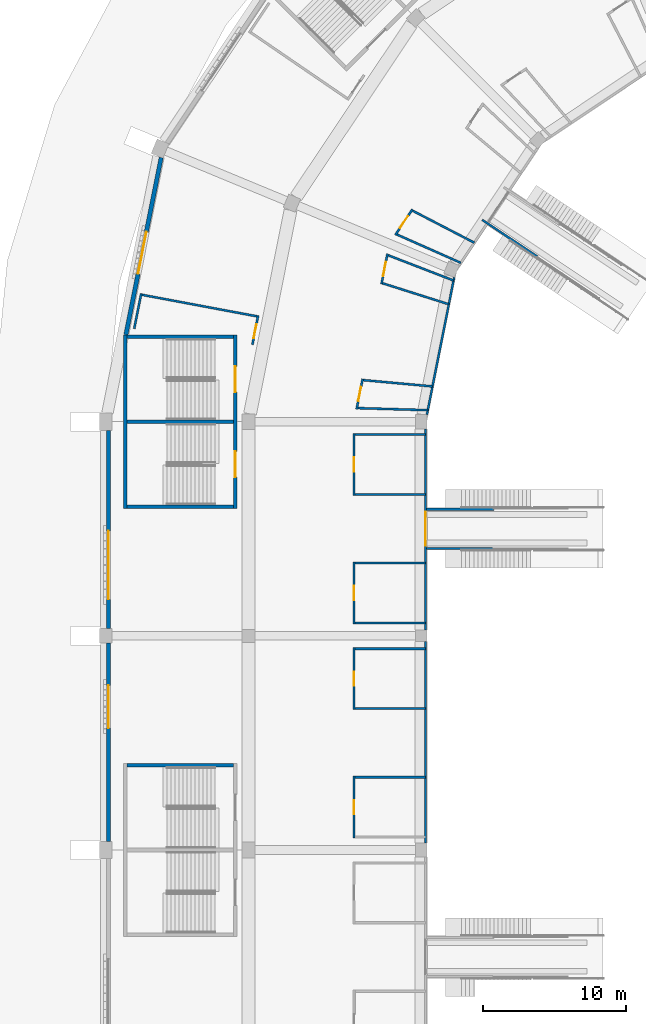
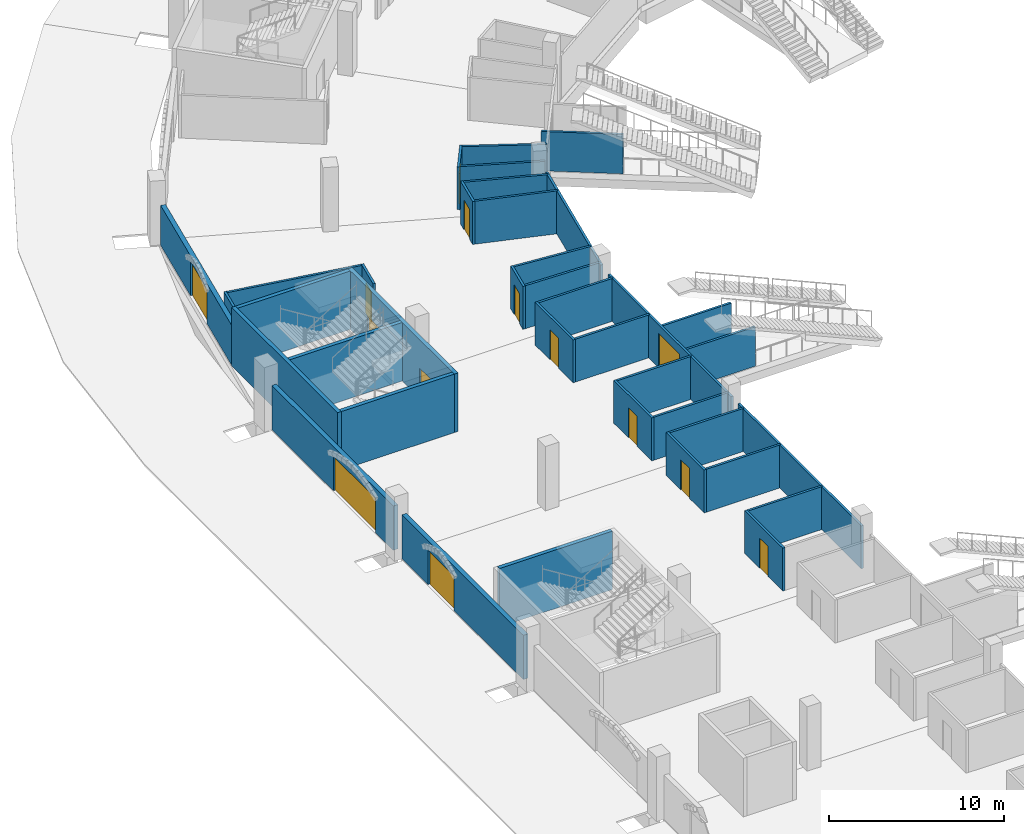
# One storey, part 36 of 175: 38 walls, 14 doors, 14 openings.
"""IFC4 building model written with IfcOpenShell, lengths in metres."""

from ifc_helpers import new_model, si_unit, direction, frame, frame_2d, origin, place, context, subcontext, project, spatial, rectangle, extrude, material, layer, layer_set, type_object, element, fill, save


model = new_model("IFC4")

# Units and contexts
model_context = context("Model", 3, precision=1e-05, world=origin(), true_north=direction((0.0, 1.0)))
body_context = subcontext(model_context, "Body", "Model", "MODEL_VIEW")
ifc_project = project(units=[si_unit("LENGTHUNIT", "METRE"), si_unit("AREAUNIT", "SQUARE_METRE"), si_unit("VOLUMEUNIT", "CUBIC_METRE"), si_unit("PLANEANGLEUNIT", "RADIAN"), si_unit("MASSUNIT", "GRAM", prefix="KILO")], contexts=[model_context])

# Site, building, storey
site_placement = place(None, origin())
site = spatial("IfcSite", under=ifc_project, at=site_placement, CompositionType="ELEMENT")
building_placement = place(site_placement, origin())
building = spatial("IfcBuilding", under=site, at=building_placement, Name="Ogive Plaza Stadium", CompositionType="ELEMENT")
storey_placement = place(building_placement, origin())
storey = spatial("IfcBuildingStorey", under=building, at=storey_placement, Name="L00", CompositionType="ELEMENT", Elevation=0.0)

# Wall, opening, door
ifc_material_1 = material(Name="Masonry blockwork", Category="masonry")
ifc_layer_1 = layer(ifc_material_1, 0.14990234375)
ifc_layer_set_1 = layer_set([ifc_layer_1], Name="Blockwork wall 150")
wall_type_1 = type_object("IfcWallType", Name="Blockwork wall 150", PredefinedType="SOLIDWALL", material=ifc_layer_set_1)
wall_1_placement = place(storey_placement, frame((-66.60009765625, 23.324951171875, 0.0), z_axis=(0.0, 0.0, 1.0), x_axis=(0.0, 1.0, 0.0)))
wall_1 = element("IfcWall", 1, at=wall_1_placement, inside=storey, type_object=wall_type_1, Name="Wall L00 B26", PredefinedType="SOLIDWALL", context=body_context, shape_type="SweptSolid", body=[
    extrude(rectangle(XDim=4.35009765625, YDim=0.14990234375, at=frame_2d((2.175048828125, 0.0))), origin(), (0.0, 0.0, 1.0), 3.0),
])
opening_1_placement = place(wall_1_placement, frame((1.675048828125, 0.0, 0.0)))
opening_1 = element("IfcOpeningElement", 2, at=opening_1_placement, cuts=wall_1, Name="Opening D0432", PredefinedType="OPENING", context=body_context, shape_type="SweptSolid", body=[
    extrude(rectangle(XDim=1.0, YDim=2.10009765625, at=frame_2d((0.5, 1.050048828125))), frame((0.0, 0.074951171875, 0.0), z_axis=(0.0, -1.0, 0.0), x_axis=(1.0, 0.0, 0.0)), (0.0, 0.0, 1.0), 0.14990234375),
])
ifc_material_2 = material(Name="Steel ASTM A572 Grade 50", Category="steel")
door_type_1 = type_object("IfcDoorType", Name="Door 1000 x 2100", OperationType="SINGLE_SWING_LEFT", PredefinedType="DOOR", material=ifc_material_2)
door_1_placement = place(opening_1_placement, origin())
door_1 = element("IfcDoor", 3, at=door_1_placement, inside=storey, type_object=door_type_1, Name="Concession Stand B26 door", OperationType="SINGLE_SWING_LEFT", OverallHeight=2.10009765625, OverallWidth=1.0, PredefinedType="DOOR", context=body_context, shape_type="SweptSolid", body=[
    extrude(rectangle(XDim=1.0, YDim=2.10009765625, at=frame_2d((0.5, 1.050048828125))), frame((0.0, 0.02490234375, 0.0), z_axis=(0.0, -1.0, 0.0), x_axis=(1.0, 0.0, 0.0)), (0.0, 0.0, 1.0), 0.050048828125),
])
fill(opening_1, door_1)

# Wall
wall_2_placement = place(storey_placement, frame((-61.60009765625, 27.60009765625, 0.0), z_axis=(0.0, 0.0, 1.0), x_axis=(-1.0, 0.0, 0.0)))
element("IfcWall", 4, at=wall_2_placement, inside=storey, type_object=wall_type_1, Name="Wall L00 B26", PredefinedType="SOLIDWALL", context=body_context, shape_type="SweptSolid", body=[
    extrude(rectangle(XDim=4.9248046875, YDim=0.14990234375, at=frame_2d((2.46240234375, 0.0))), origin(), (0.0, 0.0, 1.0), 3.0),
])

# Wall, opening, door
wall_3_placement = place(storey_placement, frame((-66.60009765625, 32.324951171875, 0.0), z_axis=(0.0, 0.0, 1.0), x_axis=(0.0, 1.0, 0.0)))
wall_3 = element("IfcWall", 5, at=wall_3_placement, inside=storey, type_object=wall_type_1, Name="Wall L00 B26", PredefinedType="SOLIDWALL", context=body_context, shape_type="SweptSolid", body=[
    extrude(rectangle(XDim=4.35009765625, YDim=0.14990234375, at=frame_2d((2.175048828125, 0.0))), origin(), (0.0, 0.0, 1.0), 3.0),
])
opening_2_placement = place(wall_3_placement, frame((1.675048828125, 0.0, 0.0)))
opening_2 = element("IfcOpeningElement", 6, at=opening_2_placement, cuts=wall_3, Name="Opening D0433", PredefinedType="OPENING", context=body_context, shape_type="SweptSolid", body=[
    extrude(rectangle(XDim=1.0, YDim=2.10009765625, at=frame_2d((0.5, 1.050048828125))), frame((0.0, 0.074951171875, 0.0), z_axis=(0.0, -1.0, 0.0), x_axis=(1.0, 0.0, 0.0)), (0.0, 0.0, 1.0), 0.14990234375),
])
door_2_placement = place(opening_2_placement, origin())
door_2 = element("IfcDoor", 7, at=door_2_placement, inside=storey, type_object=door_type_1, Name="Concession Stand B26 door", OperationType="SINGLE_SWING_RIGHT", OverallHeight=2.10009765625, OverallWidth=1.0, PredefinedType="DOOR", context=body_context, shape_type="SweptSolid", body=[
    extrude(rectangle(XDim=1.0, YDim=2.10009765625, at=frame_2d((0.5, 1.050048828125))), frame((0.0, 0.02490234375, 0.0), z_axis=(0.0, -1.0, 0.0), x_axis=(1.0, 0.0, 0.0)), (0.0, 0.0, 1.0), 0.050048828125),
])
fill(opening_2, door_2)

# Walls
for number, where, z_axis, x_axis, name in (
    (8, (-61.60009765625, 32.39990234375, 0.0), (0.0, 0.0, 1.0), (-1.0, 0.0, 0.0), "Wall L00 B26"),
    (9, (-61.60009765625, 36.60009765625, 0.0), (0.0, 0.0, 1.0), (-1.0, 0.0, 0.0), "Wall L00 B26"),
):
    element("IfcWall", number, at=place(storey_placement, frame(where, z_axis=z_axis, x_axis=x_axis)), inside=storey, type_object=wall_type_1, Name=name, PredefinedType="SOLIDWALL", context=body_context, shape_type="SweptSolid", body=[
        extrude(rectangle(XDim=4.9248046875, YDim=0.14990234375, at=frame_2d((2.46240234375, 0.0))), origin(), (0.0, 0.0, 1.0), 3.0),
    ])

# Wall, opening, door
wall_4_placement = place(storey_placement, frame((-66.60009765625, 51.675048828125, 0.0), z_axis=(0.0, 0.0, 1.0), x_axis=(0.0, -1.0, 0.0)))
wall_4 = element("IfcWall", 10, at=wall_4_placement, inside=storey, type_object=wall_type_1, Name="Wall L00 B27", PredefinedType="SOLIDWALL", context=body_context, shape_type="SweptSolid", body=[
    extrude(rectangle(XDim=4.35009765625, YDim=0.14990234375, at=frame_2d((2.175048828125, 0.0))), origin(), (0.0, 0.0, 1.0), 3.0),
])
opening_3_placement = place(wall_4_placement, frame((1.675048828125, 0.0, 0.0)))
opening_3 = element("IfcOpeningElement", 11, at=opening_3_placement, cuts=wall_4, Name="Opening D0434", PredefinedType="OPENING", context=body_context, shape_type="SweptSolid", body=[
    extrude(rectangle(XDim=1.0, YDim=2.10009765625, at=frame_2d((0.5, 1.050048828125))), frame((0.0, 0.074951171875, 0.0), z_axis=(0.0, -1.0, 0.0), x_axis=(1.0, 0.0, 0.0)), (0.0, 0.0, 1.0), 0.14990234375),
])
door_3_placement = place(opening_3_placement, origin())
door_3 = element("IfcDoor", 12, at=door_3_placement, inside=storey, type_object=door_type_1, Name="Concession Stand B27 door", OperationType="SINGLE_SWING_RIGHT", OverallHeight=2.10009765625, OverallWidth=1.0, PredefinedType="DOOR", context=body_context, shape_type="SweptSolid", body=[
    extrude(rectangle(XDim=1.0, YDim=2.10009765625, at=frame_2d((0.5, 1.050048828125))), frame((0.0, 0.02490234375, 0.0), z_axis=(0.0, -1.0, 0.0), x_axis=(1.0, 0.0, 0.0)), (0.0, 0.0, 1.0), 0.050048828125),
])
fill(opening_3, door_3)

# Walls
for number, where, z_axis, x_axis, name in (
    (13, (-61.60009765625, 51.60009765625, 0.0), (0.0, 0.0, 1.0), (-1.0, 0.0, 0.0), "Wall L00 B27"),
    (14, (-61.60009765625, 47.39990234375, 0.0), (0.0, 0.0, 1.0), (-1.0, 0.0, 0.0), "Wall L00 B27"),
):
    element("IfcWall", number, at=place(storey_placement, frame(where, z_axis=z_axis, x_axis=x_axis)), inside=storey, type_object=wall_type_1, Name=name, PredefinedType="SOLIDWALL", context=body_context, shape_type="SweptSolid", body=[
        extrude(rectangle(XDim=4.9248046875, YDim=0.14990234375, at=frame_2d((2.46240234375, 0.0))), origin(), (0.0, 0.0, 1.0), 3.0),
    ])

# Wall, opening, door
wall_5_placement = place(storey_placement, frame((-66.60009765625, 42.675048828125, 0.0), z_axis=(0.0, 0.0, 1.0), x_axis=(0.0, -1.0, 0.0)))
wall_5 = element("IfcWall", 15, at=wall_5_placement, inside=storey, type_object=wall_type_1, Name="Wall L00 B27", PredefinedType="SOLIDWALL", context=body_context, shape_type="SweptSolid", body=[
    extrude(rectangle(XDim=4.35009765625, YDim=0.14990234375, at=frame_2d((2.175048828125, 0.0))), origin(), (0.0, 0.0, 1.0), 3.0),
])
opening_4_placement = place(wall_5_placement, frame((1.675048828125, 0.0, 0.0)))
opening_4 = element("IfcOpeningElement", 16, at=opening_4_placement, cuts=wall_5, Name="Opening D0435", PredefinedType="OPENING", context=body_context, shape_type="SweptSolid", body=[
    extrude(rectangle(XDim=1.0, YDim=2.10009765625, at=frame_2d((0.5, 1.050048828125))), frame((0.0, 0.074951171875, 0.0), z_axis=(0.0, -1.0, 0.0), x_axis=(1.0, 0.0, 0.0)), (0.0, 0.0, 1.0), 0.14990234375),
])
door_4_placement = place(opening_4_placement, origin())
door_4 = element("IfcDoor", 17, at=door_4_placement, inside=storey, type_object=door_type_1, Name="Concession Stand B27 door", OperationType="SINGLE_SWING_LEFT", OverallHeight=2.10009765625, OverallWidth=1.0, PredefinedType="DOOR", context=body_context, shape_type="SweptSolid", body=[
    extrude(rectangle(XDim=1.0, YDim=2.10009765625, at=frame_2d((0.5, 1.050048828125))), frame((0.0, 0.02490234375, 0.0), z_axis=(0.0, -1.0, 0.0), x_axis=(1.0, 0.0, 0.0)), (0.0, 0.0, 1.0), 0.050048828125),
])
fill(opening_4, door_4)

# Walls
for number, where, z_axis, x_axis, name in (
    (18, (-61.60009765625, 42.60009765625, 0.0), (0.0, 0.0, 1.0), (-1.0, 0.0, 0.0), "Wall L00 B27"),
    (19, (-61.60009765625, 38.39990234375, 0.0), (0.0, 0.0, 1.0), (-1.0, 0.0, 0.0), "Wall L00 B27"),
):
    element("IfcWall", number, at=place(storey_placement, frame(where, z_axis=z_axis, x_axis=x_axis)), inside=storey, type_object=wall_type_1, Name=name, PredefinedType="SOLIDWALL", context=body_context, shape_type="SweptSolid", body=[
        extrude(rectangle(XDim=4.9248046875, YDim=0.14990234375, at=frame_2d((2.46240234375, 0.0))), origin(), (0.0, 0.0, 1.0), 3.0),
    ])

# Wall, opening, door
wall_6_placement = place(storey_placement, frame((-66.42578125, 53.37646484375, 0.0), z_axis=(0.0, 0.0, 1.0), x_axis=(0.195184162696, 0.980766609665, 0.0)))
wall_6 = element("IfcWall", 20, at=wall_6_placement, inside=storey, type_object=wall_type_1, Name="Wall L00 B28", PredefinedType="SOLIDWALL", context=body_context, shape_type="SweptSolid", body=[
    extrude(rectangle(XDim=2.16650390625, YDim=0.14990234375, at=frame_2d((1.083251953125, 0.0))), origin(), (0.0, 0.0, 1.0), 3.0),
])
opening_5_placement = place(wall_6_placement, frame((0.583251953125, 0.0, 0.0)))
opening_5 = element("IfcOpeningElement", 21, at=opening_5_placement, cuts=wall_6, Name="Opening D0436", PredefinedType="OPENING", context=body_context, shape_type="SweptSolid", body=[
    extrude(rectangle(XDim=1.0, YDim=2.10009765625, at=frame_2d((0.5, 1.050048828125))), frame((0.0, 0.074951171875, 0.0), z_axis=(0.0, -1.0, 0.0), x_axis=(1.0, 0.0, 0.0)), (0.0, 0.0, 1.0), 0.14990234375),
])
door_5_placement = place(opening_5_placement, origin())
door_5 = element("IfcDoor", 22, at=door_5_placement, inside=storey, type_object=door_type_1, Name="Concession Stand B28 door", OperationType="SINGLE_SWING_LEFT", OverallHeight=2.10009765625, OverallWidth=1.0, PredefinedType="DOOR", context=body_context, shape_type="SweptSolid", body=[
    extrude(rectangle(XDim=1.0, YDim=2.10009765625, at=frame_2d((0.5, 1.050048828125))), frame((0.0, 0.02490234375, 0.0), z_axis=(0.0, -1.0, 0.0), x_axis=(1.0, 0.0, 0.0)), (0.0, 0.0, 1.0), 0.050048828125),
])
fill(opening_5, door_5)

# Walls
wall_7_placement = place(storey_placement, frame((-61.43896484375, 53.309326171875, 0.0), z_axis=(0.0, 0.0, 1.0), x_axis=(-0.999564604057, 0.02950597086, 0.0)))
element("IfcWall", 23, at=wall_7_placement, inside=storey, type_object=wall_type_1, Name="Wall L00 B28", PredefinedType="SOLIDWALL", context=body_context, shape_type="SweptSolid", body=[
    extrude(rectangle(XDim=4.8984375, YDim=0.14990234375, at=frame_2d((2.44921875, 0.0))), origin(), (0.0, 0.0, 1.0), 3.0),
])
wall_8_placement = place(storey_placement, frame((-61.10791015625, 54.973388671875, 0.0), z_axis=(0.0, 0.0, 1.0), x_axis=(-0.995862664096, 0.090871085934, 0.0)))
element("IfcWall", 24, at=wall_8_placement, inside=storey, type_object=wall_type_1, Name="Wall L00 B28", PredefinedType="SOLIDWALL", context=body_context, shape_type="SweptSolid", body=[
    extrude(rectangle(XDim=4.857421875, YDim=0.14990234375, at=frame_2d((2.4287109375, 0.0))), origin(), (0.0, 0.0, 1.0), 3.0),
])

# Wall, opening, door
wall_9_placement = place(storey_placement, frame((-64.682373046875, 62.14013671875, 0.0), z_axis=(0.0, 0.0, 1.0), x_axis=(0.195075759432, 0.980788176969, 0.0)))
wall_9 = element("IfcWall", 25, at=wall_9_placement, inside=storey, type_object=wall_type_1, Name="Wall L00 B28", PredefinedType="SOLIDWALL", context=body_context, shape_type="SweptSolid", body=[
    extrude(rectangle(XDim=2.166259765625, YDim=0.14990234375, at=frame_2d((1.0830078125, 0.0))), origin(), (0.0, 0.0, 1.0), 3.0),
])
opening_6_placement = place(wall_9_placement, frame((0.583251953125, 0.0, 0.0)))
opening_6 = element("IfcOpeningElement", 26, at=opening_6_placement, cuts=wall_9, Name="Opening D0437", PredefinedType="OPENING", context=body_context, shape_type="SweptSolid", body=[
    extrude(rectangle(XDim=1.0, YDim=2.10009765625, at=frame_2d((0.5, 1.050048828125))), frame((0.0, 0.074951171875, 0.0), z_axis=(0.0, -1.0, 0.0), x_axis=(1.0, 0.0, 0.0)), (0.0, 0.0, 1.0), 0.14990234375),
])
door_6_placement = place(opening_6_placement, origin())
door_6 = element("IfcDoor", 27, at=door_6_placement, inside=storey, type_object=door_type_1, Name="Concession Stand B28 door", OperationType="SINGLE_SWING_RIGHT", OverallHeight=2.10009765625, OverallWidth=1.0, PredefinedType="DOOR", context=body_context, shape_type="SweptSolid", body=[
    extrude(rectangle(XDim=1.0, YDim=2.10009765625, at=frame_2d((0.5, 1.050048828125))), frame((0.0, 0.02490234375, 0.0), z_axis=(0.0, -1.0, 0.0), x_axis=(1.0, 0.0, 0.0)), (0.0, 0.0, 1.0), 0.050048828125),
])
fill(opening_6, door_6)

# Walls
wall_10_placement = place(storey_placement, frame((-59.963134765625, 60.72900390625, 0.0), z_axis=(0.0, 0.0, 1.0), x_axis=(-0.953256403352, 0.302162587804, 0.0)))
element("IfcWall", 28, at=wall_10_placement, inside=storey, type_object=wall_type_1, Name="Wall L00 B28", PredefinedType="SOLIDWALL", context=body_context, shape_type="SweptSolid", body=[
    extrude(rectangle(XDim=4.860107421875, YDim=0.14990234375, at=frame_2d((2.43017578125, 0.0))), origin(), (0.0, 0.0, 1.0), 3.0),
])
wall_11_placement = place(storey_placement, frame((-59.632080078125, 62.39306640625, 0.0), z_axis=(0.0, 0.0, 1.0), x_axis=(-0.932924010437, 0.360073313022, 0.0)))
element("IfcWall", 29, at=wall_11_placement, inside=storey, type_object=wall_type_1, Name="Wall L00 B28", PredefinedType="SOLIDWALL", context=body_context, shape_type="SweptSolid", body=[
    extrude(rectangle(XDim=4.90283203125, YDim=0.14990234375, at=frame_2d((2.451416015625, 0.0))), origin(), (0.0, 0.0, 1.0), 3.0),
])

# Wall, opening, door
wall_12_placement = place(storey_placement, frame((-62.512451171875, 67.379150390625, 0.0), z_axis=(0.0, 0.0, 1.0), x_axis=(-0.555584101735, -0.831460345356, 0.0)))
wall_12 = element("IfcWall", 30, at=wall_12_placement, inside=storey, type_object=wall_type_1, Name="Wall L00 B29", PredefinedType="SOLIDWALL", context=body_context, shape_type="SweptSolid", body=[
    extrude(rectangle(XDim=2.16650390625, YDim=0.14990234375, at=frame_2d((1.083251953125, 0.0))), origin(), (0.0, 0.0, 1.0), 3.0),
])
opening_7_placement = place(wall_12_placement, frame((0.583251953125, 0.0, 0.0)))
opening_7 = element("IfcOpeningElement", 31, at=opening_7_placement, cuts=wall_12, Name="Opening D0440", PredefinedType="OPENING", context=body_context, shape_type="SweptSolid", body=[
    extrude(rectangle(XDim=1.0, YDim=2.10009765625, at=frame_2d((0.5, 1.050048828125))), frame((0.0, 0.074951171875, 0.0), z_axis=(0.0, -1.0, 0.0), x_axis=(1.0, 0.0, 0.0)), (0.0, 0.0, 1.0), 0.14990234375),
])
door_7_placement = place(opening_7_placement, origin())
door_7 = element("IfcDoor", 32, at=door_7_placement, inside=storey, type_object=door_type_1, Name="Concession Stand B29 door", OperationType="SINGLE_SWING_LEFT", OverallHeight=2.10009765625, OverallWidth=1.0, PredefinedType="DOOR", context=body_context, shape_type="SweptSolid", body=[
    extrude(rectangle(XDim=1.0, YDim=2.10009765625, at=frame_2d((0.5, 1.050048828125))), frame((0.0, 0.02490234375, 0.0), z_axis=(0.0, -1.0, 0.0), x_axis=(1.0, 0.0, 0.0)), (0.0, 0.0, 1.0), 0.050048828125),
])
fill(opening_7, door_7)

# Walls
wall_13_placement = place(storey_placement, frame((-58.177490234375, 65.039794921875, 0.0), z_axis=(0.0, 0.0, 1.0), x_axis=(-0.887687615618, 0.460446193467, 0.0)))
element("IfcWall", 33, at=wall_13_placement, inside=storey, type_object=wall_type_1, Name="Wall L00 B29", PredefinedType="SOLIDWALL", context=body_context, shape_type="SweptSolid", body=[
    extrude(rectangle(XDim=4.860107421875, YDim=0.14990234375, at=frame_2d((2.43017578125, 0.0))), origin(), (0.0, 0.0, 1.0), 3.0),
])
wall_14_placement = place(storey_placement, frame((-59.1201171875, 63.629150390625, 0.0), z_axis=(0.0, 0.0, 1.0), x_axis=(-0.914272991352, 0.405098626615, 0.0)))
element("IfcWall", 34, at=wall_14_placement, inside=storey, type_object=wall_type_1, Name="Wall L00 B29", PredefinedType="SOLIDWALL", context=body_context, shape_type="SweptSolid", body=[
    extrude(rectangle(XDim=4.90283203125, YDim=0.14990234375, at=frame_2d((2.451416015625, 0.0))), origin(), (0.0, 0.0, 1.0), 3.0),
])
wall_15_placement = place(storey_placement, frame((-61.60009765625, 23.0, 0.0), z_axis=(0.0, 0.0, 1.0), x_axis=(0.0, 1.0, 0.0)))
element("IfcWall", 35, at=wall_15_placement, inside=storey, type_object=wall_type_1, Name="Stand rear wall B26", PredefinedType="SOLIDWALL", context=body_context, shape_type="SweptSolid", body=[
    extrude(rectangle(XDim=14.10009765625, YDim=0.14990234375, at=frame_2d((7.050048828125, 0.0))), origin(), (0.0, 0.0, 1.0), 3.0),
])

# Wall, opening, door
wall_16_placement = place(storey_placement, frame((-61.60009765625, 37.89990234375, 0.0), z_axis=(0.0, 0.0, 1.0), x_axis=(0.0, 1.0, 0.0)))
wall_16 = element("IfcWall", 36, at=wall_16_placement, inside=storey, type_object=wall_type_1, Name="Stand rear wall B27", PredefinedType="SOLIDWALL", context=body_context, shape_type="SweptSolid", body=[
    extrude(rectangle(XDim=14.10009765625, YDim=0.14990234375, at=frame_2d((7.050048828125, 0.0))), origin(), (0.0, 0.0, 1.0), 3.0),
])
opening_8_placement = place(wall_16_placement, frame((5.89990234375, 0.0, 0.0)))
opening_8 = element("IfcOpeningElement", 37, at=opening_8_placement, cuts=wall_16, Name="Opening D1050", PredefinedType="OPENING", context=body_context, shape_type="SweptSolid", body=[
    extrude(rectangle(XDim=2.39990234375, YDim=2.39990234375, at=frame_2d((1.199951171875, 1.199951171875))), frame((0.0, 0.074951171875, 0.0), z_axis=(0.0, -1.0, 0.0), x_axis=(1.0, 0.0, 0.0)), (0.0, 0.0, 1.0), 0.14990234375),
])
ifc_material_3 = material(Name="Steel ASTM A572 Grade 50", Category="steel")
door_type_2 = type_object("IfcDoorType", Name="Service door pair 2400 x 2400", OperationType="DOUBLE_DOOR_SINGLE_SWING", PredefinedType="DOOR", material=ifc_material_3)
door_8_placement = place(opening_8_placement, origin())
door_8 = element("IfcDoor", 38, at=door_8_placement, inside=storey, type_object=door_type_2, Name="Vomitory portal door B27", OperationType="DOUBLE_DOOR_SINGLE_SWING", OverallHeight=2.39990234375, OverallWidth=2.39990234375, PredefinedType="DOOR", context=body_context, shape_type="SweptSolid", body=[
    extrude(rectangle(XDim=2.39990234375, YDim=2.39990234375, at=frame_2d((1.199951171875, 1.199951171875))), frame((0.0, 0.02490234375, 0.0), z_axis=(0.0, -1.0, 0.0), x_axis=(1.0, 0.0, 0.0)), (0.0, 0.0, 1.0), 0.050048828125),
])
fill(opening_8, door_8)

# Walls
wall_17_placement = place(storey_placement, frame((-61.50048828125, 53.0, 0.0), z_axis=(0.0, 0.0, 1.0), x_axis=(0.195081244333, 0.980787086023, 0.0)))
element("IfcWall", 39, at=wall_17_placement, inside=storey, type_object=wall_type_1, Name="Stand rear wall B28", PredefinedType="SOLIDWALL", context=body_context, shape_type="SweptSolid", body=[
    extrude(rectangle(XDim=9.80029296875, YDim=0.14990234375, at=frame_2d((4.900146484375, 0.0))), origin(), (0.0, 0.0, 1.0), 3.0),
])
ifc_material_4 = material(Name="Concrete C40/50", Category="concrete")
ifc_layer_2 = layer(ifc_material_4, 0.25)
ifc_layer_set_2 = layer_set([ifc_layer_2], Name="Concrete C40/50")
wall_type_2 = type_object("IfcWallType", Name="Core wall 250", PredefinedType="SHEAR", material=ifc_layer_set_2)
wall_18_placement = place(storey_placement, frame((-75.050048828125, 28.449951171875, 0.0), z_axis=(0.0, 0.0, 1.0), x_axis=(-1.0, 0.0, 0.0)))
element("IfcWall", 40, at=wall_18_placement, inside=storey, type_object=wall_type_2, Name="Stair core R26 side wall", PredefinedType="SHEAR", context=body_context, shape_type="SweptSolid", body=[
    extrude(rectangle(XDim=7.4599609375, YDim=0.25, at=frame_2d((3.72998046875, 0.0))), origin(), (0.0, 0.0, 1.0), 4.090087890625),
])

# Wall, openings, doors
wall_19_placement = place(storey_placement, frame((-74.925048828125, 58.574951171875, 0.0), z_axis=(0.0, 0.0, 1.0), x_axis=(0.0, -1.0, 0.0)))
wall_19 = element("IfcWall", 41, at=wall_19_placement, inside=storey, type_object=wall_type_2, Name="Stair core R28 inner wall", PredefinedType="SHEAR", context=body_context, shape_type="SweptSolid", body=[
    extrude(rectangle(XDim=12.14990234375, YDim=0.25, at=frame_2d((6.074951171875, 0.0))), origin(), (0.0, 0.0, 1.0), 4.090087890625),
])
opening_9_placement = place(wall_19_placement, frame((2.199951171875, 0.0, 0.0)))
opening_9 = element("IfcOpeningElement", 42, at=opening_9_placement, cuts=wall_19, Name="Opening D0209", PredefinedType="OPENING", context=body_context, shape_type="SweptSolid", body=[
    extrude(rectangle(XDim=1.800048828125, YDim=2.10009765625, at=frame_2d((0.89990234375, 1.050048828125))), frame((0.0, 0.125, 0.0), z_axis=(0.0, -1.0, 0.0), x_axis=(1.0, 0.0, 0.0)), (0.0, 0.0, 1.0), 0.25),
])
opening_10_placement = place(wall_19_placement, frame((8.14990234375, 0.0, 0.0)))
opening_10 = element("IfcOpeningElement", 43, at=opening_10_placement, cuts=wall_19, Name="Opening D0210", PredefinedType="OPENING", context=body_context, shape_type="SweptSolid", body=[
    extrude(rectangle(XDim=1.800048828125, YDim=2.10009765625, at=frame_2d((0.89990234375, 1.050048828125))), frame((0.0, 0.125, 0.0), z_axis=(0.0, -1.0, 0.0), x_axis=(1.0, 0.0, 0.0)), (0.0, 0.0, 1.0), 0.25),
])
ifc_material_5 = material(Name="Steel ASTM A572 Grade 50", Category="steel")
door_type_3 = type_object("IfcDoorType", Name="Fire door FD90 pair 1800 x 2100", OperationType="DOUBLE_DOOR_SINGLE_SWING", PredefinedType="DOOR", material=ifc_material_5)
door_9_placement = place(opening_9_placement, origin())
door_9 = element("IfcDoor", 44, at=door_9_placement, inside=storey, type_object=door_type_3, Name="Exit stair R28A door L00", OperationType="DOUBLE_DOOR_SINGLE_SWING", OverallHeight=2.10009765625, OverallWidth=1.800048828125, PredefinedType="DOOR", context=body_context, shape_type="SweptSolid", body=[
    extrude(rectangle(XDim=1.800048828125, YDim=2.10009765625, at=frame_2d((0.89990234375, 1.050048828125))), frame((0.0, 0.02490234375, 0.0), z_axis=(0.0, -1.0, 0.0), x_axis=(1.0, 0.0, 0.0)), (0.0, 0.0, 1.0), 0.050048828125),
])
fill(opening_9, door_9)
door_10_placement = place(opening_10_placement, origin())
door_10 = element("IfcDoor", 45, at=door_10_placement, inside=storey, type_object=door_type_3, Name="Exit stair R28B door L00", OperationType="DOUBLE_DOOR_SINGLE_SWING", OverallHeight=2.10009765625, OverallWidth=1.800048828125, PredefinedType="DOOR", context=body_context, shape_type="SweptSolid", body=[
    extrude(rectangle(XDim=1.800048828125, YDim=2.10009765625, at=frame_2d((0.89990234375, 1.050048828125))), frame((0.0, 0.02490234375, 0.0), z_axis=(0.0, -1.0, 0.0), x_axis=(1.0, 0.0, 0.0)), (0.0, 0.0, 1.0), 0.050048828125),
])
fill(opening_10, door_10)

# Walls
wall_20_placement = place(storey_placement, frame((-82.635009765625, 58.574951171875, 0.0), z_axis=(0.0, 0.0, 1.0), x_axis=(0.0, -1.0, 0.0)))
element("IfcWall", 46, at=wall_20_placement, inside=storey, type_object=wall_type_2, Name="Stair core R28 outer wall", PredefinedType="SHEAR", context=body_context, shape_type="SweptSolid", body=[
    extrude(rectangle(XDim=12.14990234375, YDim=0.25, at=frame_2d((6.074951171875, 0.0))), origin(), (0.0, 0.0, 1.0), 4.090087890625),
])
for number, where, z_axis, x_axis, name in (
    (47, (-75.050048828125, 58.449951171875, 0.0), (0.0, 0.0, 1.0), (-1.0, 0.0, 0.0), "Stair core R28 side wall"),
    (48, (-75.050048828125, 46.550048828125, 0.0), (0.0, 0.0, 1.0), (-1.0, 0.0, 0.0), "Stair core R28 side wall"),
    (49, (-75.050048828125, 52.5, 0.0), (0.0, 0.0, 1.0), (-1.0, 0.0, 0.0), "Stair core R28 centre wall"),
):
    element("IfcWall", number, at=place(storey_placement, frame(where, z_axis=z_axis, x_axis=x_axis)), inside=storey, type_object=wall_type_2, Name=name, PredefinedType="SHEAR", context=body_context, shape_type="SweptSolid", body=[
        extrude(rectangle(XDim=7.4599609375, YDim=0.25, at=frame_2d((3.72998046875, 0.0))), origin(), (0.0, 0.0, 1.0), 4.090087890625),
    ])

# Wall, opening, door
ifc_material_6 = material(Name="Gypsum board partition", Category="gypsum")
ifc_layer_3 = layer(ifc_material_6, 0.14990234375)
ifc_layer_set_3 = layer_set([ifc_layer_3], Name="Partition 150")
wall_type_3 = type_object("IfcWallType", Name="Partition 150", PredefinedType="PARTITIONING", material=ifc_layer_set_3)
wall_21_placement = place(storey_placement, frame((-73.7265625, 57.896240234375, 0.0), z_axis=(0.0, 0.0, 1.0), x_axis=(0.195055250603, 0.980792255889, 0.0)))
wall_21 = element("IfcWall", 50, at=wall_21_placement, inside=storey, type_object=wall_type_3, Name="Wall L00 B28", PredefinedType="PARTITIONING", context=body_context, shape_type="SweptSolid", body=[
    extrude(rectangle(XDim=2.080322265625, YDim=0.14990234375, at=frame_2d((1.0400390625, 0.0))), origin(), (0.0, 0.0, 1.0), 3.0),
])
opening_11_placement = place(wall_21_placement, frame((0.47216796875, 0.0, 0.0)))
opening_11 = element("IfcOpeningElement", 51, at=opening_11_placement, cuts=wall_21, Name="Opening D0438", PredefinedType="OPENING", context=body_context, shape_type="SweptSolid", body=[
    extrude(rectangle(XDim=1.0, YDim=2.10009765625, at=frame_2d((0.5, 1.050048828125))), frame((0.0, 0.074951171875, 0.0), z_axis=(0.0, -1.0, 0.0), x_axis=(1.0, 0.0, 0.0)), (0.0, 0.0, 1.0), 0.14990234375),
])
door_11_placement = place(opening_11_placement, origin())
door_11 = element("IfcDoor", 52, at=door_11_placement, inside=storey, type_object=door_type_1, Name="Ticket Office B28 door", OperationType="SINGLE_SWING_RIGHT", OverallHeight=2.10009765625, OverallWidth=1.0, PredefinedType="DOOR", context=body_context, shape_type="SweptSolid", body=[
    extrude(rectangle(XDim=1.0, YDim=2.10009765625, at=frame_2d((0.5, 1.050048828125))), frame((0.0, 0.02490234375, 0.0), z_axis=(0.0, -1.0, 0.0), x_axis=(1.0, 0.0, 0.0)), (0.0, 0.0, 1.0), 0.050048828125),
])
fill(opening_11, door_11)

# Walls
wall_22_placement = place(storey_placement, frame((-82.0029296875, 59.020263671875, 0.0), z_axis=(0.0, 0.0, 1.0), x_axis=(0.195032666665, 0.980796747004, 0.0)))
element("IfcWall", 53, at=wall_22_placement, inside=storey, type_object=wall_type_3, Name="Wall L00 B28", PredefinedType="PARTITIONING", context=body_context, shape_type="SweptSolid", body=[
    extrude(rectangle(XDim=2.513671875, YDim=0.14990234375, at=frame_2d((1.2568359375, 0.0))), origin(), (0.0, 0.0, 1.0), 3.0),
])
wall_23_placement = place(storey_placement, frame((-73.40625, 59.88330078125, 0.0), z_axis=(0.0, 0.0, 1.0), x_axis=(-0.982896138411, 0.184160747979, 0.0)))
element("IfcWall", 54, at=wall_23_placement, inside=storey, type_object=wall_type_3, Name="Wall L00 B28", PredefinedType="PARTITIONING", context=body_context, shape_type="SweptSolid", body=[
    extrude(rectangle(XDim=8.190185546875, YDim=0.14990234375, at=frame_2d((4.09521484375, 0.0))), origin(), (0.0, 0.0, 1.0), 3.0),
])

# Wall, opening, door
ifc_material_7 = material(Name="Concrete C45/55 precast", Category="concrete")
ifc_layer_4 = layer(ifc_material_7, 0.25)
ifc_material_8 = material(Name="Cast stone (reconstituted limestone)", Category="masonry")
ifc_layer_5 = layer(ifc_material_8, 0.050048828125)
ifc_layer_set_4 = layer_set([ifc_layer_4, ifc_layer_5], Name="Concrete C45/55 precast, cast stone facing")
wall_type_4 = type_object("IfcWallType", Name="Portal infill wall 300", PredefinedType="SOLIDWALL", material=ifc_layer_set_4)
wall_24_placement = place(storey_placement, frame((-83.800048828125, 23.10009765625, 0.0), z_axis=(0.0, 0.0, 1.0), x_axis=(0.0, 1.0, 0.0)))
wall_24 = element("IfcWall", 55, at=wall_24_placement, inside=storey, type_object=wall_type_4, Name="PORTAL WALL B26", PredefinedType="SOLIDWALL", context=body_context, shape_type="SweptSolid", body=[
    extrude(rectangle(XDim=13.89990234375, YDim=0.300048828125, at=frame_2d((6.949951171875, 0.0))), origin(), (0.0, 0.0, 1.0), 3.090087890625),
])
opening_12_placement = place(wall_24_placement, frame((7.9375, 0.0, 0.0)))
opening_12 = element("IfcOpeningElement", 56, at=opening_12_placement, cuts=wall_24, Name="Opening D0026", PredefinedType="OPENING", context=body_context, shape_type="SweptSolid", body=[
    extrude(rectangle(XDim=3.0, YDim=2.39990234375, at=frame_2d((1.5, 1.199951171875))), frame((0.0, 0.16015625, 0.0), z_axis=(0.0, -1.0, 0.0), x_axis=(1.0, 0.0, 0.0)), (0.0, 0.0, 1.0), 0.320068359375),
])
ifc_material_9 = material(Name="Bronze-anodised aluminium and laminated glass", Category="aluminium")
door_type_4 = type_object("IfcDoorType", Name="Exit gate door pair 3000 x 2400", OperationType="DOUBLE_DOOR_SINGLE_SWING", PredefinedType="DOOR", material=ifc_material_9)
door_12_placement = place(opening_12_placement, origin())
door_12 = element("IfcDoor", 57, at=door_12_placement, inside=storey, type_object=door_type_4, Name="Pedestrian exit gate G13", OperationType="DOUBLE_DOOR_SINGLE_SWING", OverallHeight=2.39990234375, OverallWidth=3.0, PredefinedType="DOOR", context=body_context, shape_type="SweptSolid", body=[
    extrude(rectangle(XDim=3.0, YDim=2.39990234375, at=frame_2d((1.5, 1.199951171875))), frame((0.0, 0.02490234375, 0.0), z_axis=(0.0, -1.0, 0.0), x_axis=(1.0, 0.0, 0.0)), (0.0, 0.0, 1.0), 0.050048828125),
])
fill(opening_12, door_12)

wall_25_placement = place(storey_placement, frame((-83.800048828125, 38.0, 0.0), z_axis=(0.0, 0.0, 1.0), x_axis=(0.0, 1.0, 0.0)))
wall_25 = element("IfcWall", 58, at=wall_25_placement, inside=storey, type_object=wall_type_4, Name="PORTAL WALL B27", PredefinedType="SOLIDWALL", context=body_context, shape_type="SweptSolid", body=[
    extrude(rectangle(XDim=13.89990234375, YDim=0.300048828125, at=frame_2d((6.949951171875, 0.0))), origin(), (0.0, 0.0, 1.0), 3.090087890625),
])
opening_13_placement = place(wall_25_placement, frame((2.0625, 0.0, 0.0)))
opening_13 = element("IfcOpeningElement", 59, at=opening_13_placement, cuts=wall_25, Name="Opening D0027", PredefinedType="OPENING", context=body_context, shape_type="SweptSolid", body=[
    extrude(rectangle(XDim=4.800048828125, YDim=2.39990234375, at=frame_2d((2.39990234375, 1.199951171875))), frame((0.0, 0.16015625, 0.0), z_axis=(0.0, -1.0, 0.0), x_axis=(1.0, 0.0, 0.0)), (0.0, 0.0, 1.0), 0.320068359375),
])
ifc_material_10 = material(Name="Bronze-anodised aluminium and laminated glass", Category="aluminium")
door_type_5 = type_object("IfcDoorType", Name="Entrance door pair 4800 x 2400", OperationType="DOUBLE_DOOR_SINGLE_SWING", PredefinedType="DOOR", material=ifc_material_10)
door_13_placement = place(opening_13_placement, origin())
door_13 = element("IfcDoor", 60, at=door_13_placement, inside=storey, type_object=door_type_5, Name="Main entrance E14", OperationType="DOUBLE_DOOR_SINGLE_SWING", OverallHeight=2.39990234375, OverallWidth=4.800048828125, PredefinedType="DOOR", context=body_context, shape_type="SweptSolid", body=[
    extrude(rectangle(XDim=4.800048828125, YDim=2.39990234375, at=frame_2d((2.39990234375, 1.199951171875))), frame((0.0, 0.02490234375, 0.0), z_axis=(0.0, -1.0, 0.0), x_axis=(1.0, 0.0, 0.0)), (0.0, 0.0, 1.0), 0.050048828125),
])
fill(opening_13, door_13)

ifc_material_11 = material(Name="Concrete C45/55 precast", Category="concrete")
ifc_layer_6 = layer(ifc_material_11, 0.25)
ifc_material_12 = material(Name="Cast stone (reconstituted limestone)", Category="masonry")
ifc_layer_7 = layer(ifc_material_12, 0.050048828125)
ifc_layer_set_5 = layer_set([ifc_layer_6, ifc_layer_7], Name="Concrete C45/55 precast, cast stone facing")
wall_type_5 = type_object("IfcWallType", Name="Portal infill wall 300 A", PredefinedType="SOLIDWALL", material=ifc_layer_set_5)
wall_26_placement = place(storey_placement, frame((-82.5849609375, 58.58935546875, 0.0), z_axis=(0.0, 0.0, 1.0), x_axis=(0.195099892294, 0.980783376708, 0.0)))
wall_26 = element("IfcWall", 61, at=wall_26_placement, inside=storey, type_object=wall_type_5, Name="PORTAL WALL B28", PredefinedType="SOLIDWALL", context=body_context, shape_type="SweptSolid", body=[
    extrude(rectangle(XDim=12.659912109375, YDim=0.300048828125, at=frame_2d((6.330078125, 0.0))), origin(), (0.0, 0.0, 1.0), 2.7900390625),
])
opening_14_placement = place(wall_26_placement, frame((4.3486328125, 0.0, 0.0)))
opening_14 = element("IfcOpeningElement", 62, at=opening_14_placement, cuts=wall_26, Name="Opening D0028", PredefinedType="OPENING", context=body_context, shape_type="SweptSolid", body=[
    extrude(rectangle(XDim=3.0, YDim=2.39990234375, at=frame_2d((1.5, 1.199951171875))), frame((0.0, 0.16015625, 0.0), z_axis=(0.0, -1.0, 0.0), x_axis=(1.0, 0.0, 0.0)), (0.0, 0.0, 1.0), 0.320068359375),
])
door_14_placement = place(opening_14_placement, origin())
door_14 = element("IfcDoor", 63, at=door_14_placement, inside=storey, type_object=door_type_4, Name="Pedestrian exit gate G14", OperationType="DOUBLE_DOOR_SINGLE_SWING", OverallHeight=2.39990234375, OverallWidth=3.0, PredefinedType="DOOR", context=body_context, shape_type="SweptSolid", body=[
    extrude(rectangle(XDim=3.0, YDim=2.39990234375, at=frame_2d((1.5, 1.199951171875))), frame((0.0, 0.02490234375, 0.0), z_axis=(0.0, -1.0, 0.0), x_axis=(1.0, 0.0, 0.0)), (0.0, 0.0, 1.0), 0.050048828125),
])
fill(opening_14, door_14)

# Walls
ifc_material_13 = material(Name="Concrete C40/50", Category="concrete")
ifc_layer_8 = layer(ifc_material_13, 0.14990234375)
ifc_layer_set_6 = layer_set([ifc_layer_8], Name="Concrete C40/50")
wall_type_6 = type_object("IfcWallType", Name="Vomitory wall 150", PredefinedType="SOLIDWALL", material=ifc_layer_set_6)
for number, where, z_axis, x_axis, name in (
    (64, (-56.800048828125, 46.3701171875, 0.0), (0.0, 0.0, 1.0), (-1.0, 0.0, 0.0), "Vomitory tunnel wall B27"),
    (65, (-56.800048828125, 43.6298828125, 0.0), (0.0, 0.0, 1.0), (-1.0, 0.0, 0.0), "Vomitory tunnel wall B27"),
):
    element("IfcWall", number, at=place(storey_placement, frame(where, z_axis=z_axis, x_axis=x_axis)), inside=storey, type_object=wall_type_6, Name=name, PredefinedType="SOLIDWALL", context=body_context, shape_type="SweptSolid", body=[
        extrude(rectangle(XDim=4.724853515625, YDim=0.14990234375, at=frame_2d((2.3623046875, 0.0))), origin(), (0.0, 0.0, 1.0), 2.75),
    ])
wall_27_placement = place(storey_placement, frame((-53.71875, 64.02783203125, 0.0), z_axis=(0.0, 0.0, 1.0), x_axis=(-0.831442430782, 0.555610910886, 0.0)))
element("IfcWall", 66, at=wall_27_placement, inside=storey, type_object=wall_type_6, Name="Vomitory tunnel wall B29", PredefinedType="SOLIDWALL", context=body_context, shape_type="SweptSolid", body=[
    extrude(rectangle(XDim=4.699951171875, YDim=0.14990234375, at=frame_2d((2.35009765625, 0.0))), origin(), (0.0, 0.0, 1.0), 2.75),
])

save(model, "model.ifc")
